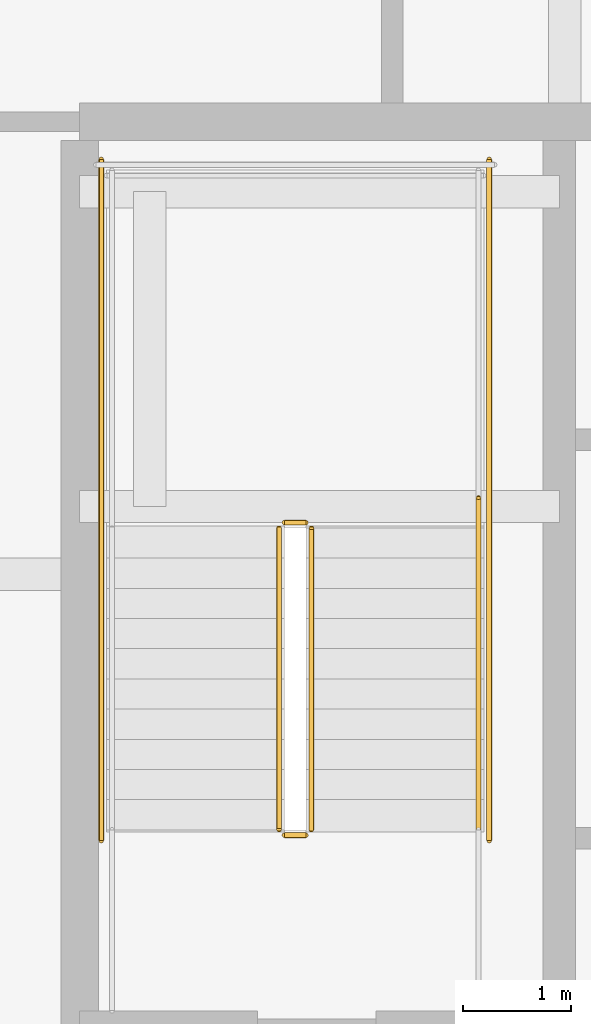
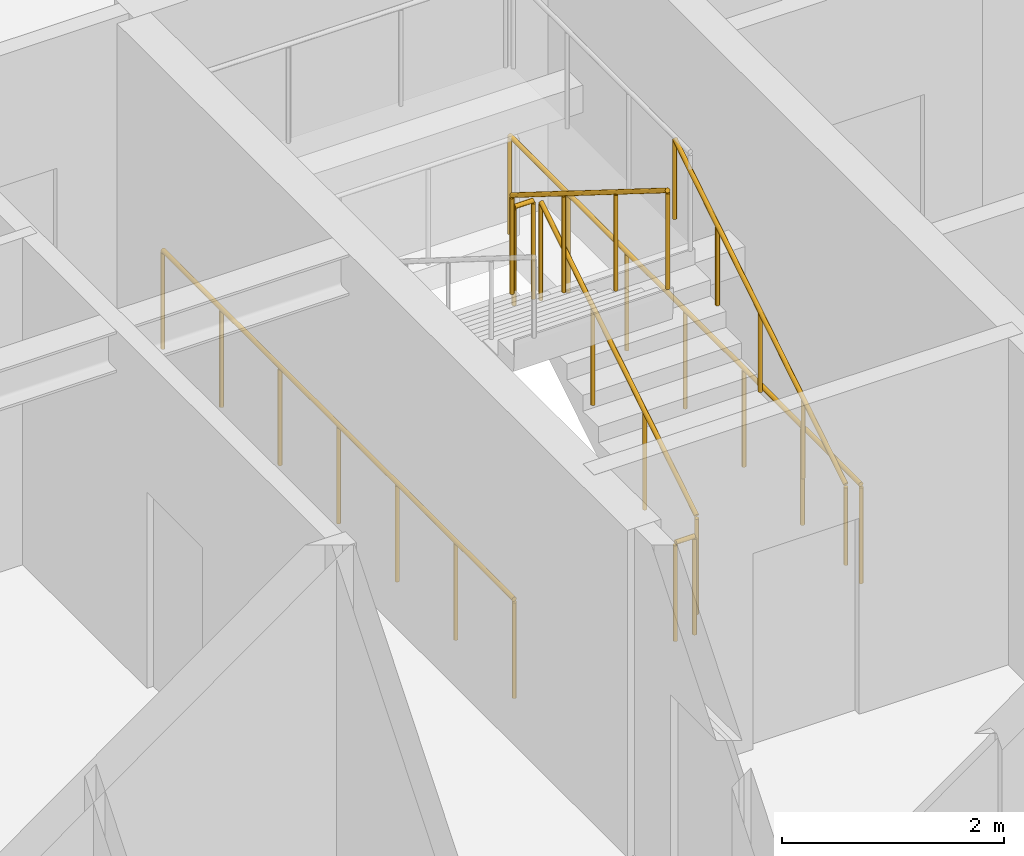
# One storey, part 35 of 38: 7 railings.
"""IFC4 building model written with IfcOpenShell, lengths in metres."""

from ifc_helpers import new_model, si_unit, direction, frame, origin, origin_2d, place, context, subcontext, project, spatial, circle, extrude, material, type_object, element, save


model = new_model("IFC4")

# Units and contexts
model_context = context("Model", 3, precision=1e-05, world=origin(), true_north=direction((0.0, 1.0)))
body_context = subcontext(model_context, "Body", "Model", "MODEL_VIEW")
ifc_project = project(units=[si_unit("LENGTHUNIT", "METRE"), si_unit("AREAUNIT", "SQUARE_METRE"), si_unit("VOLUMEUNIT", "CUBIC_METRE"), si_unit("PLANEANGLEUNIT", "RADIAN"), si_unit("MASSUNIT", "GRAM", prefix="KILO")], contexts=[model_context])

# Site, building, storey
site_placement = place(None, origin())
site = spatial("IfcSite", under=ifc_project, at=site_placement, CompositionType="ELEMENT")
building_placement = place(site_placement, origin())
building = spatial("IfcBuilding", under=site, at=building_placement, Name="Serunith Strait Residences", CompositionType="ELEMENT")
storey_placement = place(building_placement, frame((0.0, 0.0, 229.699951171875)))
storey = spatial("IfcBuildingStorey", under=building, at=storey_placement, Name="L57", CompositionType="ELEMENT", Elevation=229.699951171875)

# Railings
ifc_material = material(Name="Brushed stainless steel 316L", Category="steel")
railing_type_1 = type_object("IfcRailingType", Name="RLG-STAIR-GUARD", PredefinedType="BALUSTRADE", material=ifc_material)
railing_1_placement = place(storey_placement, frame((25.550048828125, 27.030029296875, 0.175048828125)))
element("IfcRailing", 1, at=railing_1_placement, inside=storey, type_object=railing_type_1, Name="L57 ST-1 stair guard 1", PredefinedType="BALUSTRADE", context=body_context, shape_type="SweptSolid", body=[
    extrude(circle(Radius=0.02392578125, at=origin_2d()), frame((0.0, 0.001708984375, 1.0771484375), z_axis=(0.0, 0.848002457836, 0.529992293815), x_axis=(-1.0, 0.0, 0.0)), (0.0, 0.0, 1.0), 3.2978515625),
    extrude(circle(Radius=0.02099609375, at=origin_2d()), origin(), (0.0, 0.0, 1.0), 1.050048828125),
    extrude(circle(Radius=0.02099609375, at=origin_2d()), frame((0.0, 0.933349609375, 0.583251953125)), (0.0, 0.0, 1.0), 1.050048828125),
    extrude(circle(Radius=0.02099609375, at=origin_2d()), frame((0.0, 1.86669921875, 1.166748046875)), (0.0, 0.0, 1.0), 1.050048828125),
    extrude(circle(Radius=0.02099609375, at=origin_2d()), frame((0.0, 2.800048828125, 1.75)), (0.0, 0.0, 1.0), 1.050048828125),
])
railing_2_placement = place(storey_placement, frame((25.5, 29.8798828125, 1.925048828125)))
element("IfcRailing", 2, at=railing_2_placement, inside=storey, type_object=railing_type_1, Name="L57 ST-1 stair guard 2", PredefinedType="BALUSTRADE", context=body_context, shape_type="SweptSolid", body=[
    extrude(circle(Radius=0.02392578125, at=origin_2d()), frame((-0.001953125, 0.0, 1.076171875), z_axis=(-1.0, 0.0, 0.0), x_axis=(0.0, -1.0, 0.0)), (0.0, 0.0, 1.0), 0.196044921875),
    extrude(circle(Radius=0.02099609375, at=origin_2d()), origin(), (0.0, 0.0, 1.0), 1.050048828125),
    extrude(circle(Radius=0.02099609375, at=origin_2d()), frame((-0.199951171875, 0.0, 0.0)), (0.0, 0.0, 1.0), 1.050048828125),
])
railing_3_placement = place(storey_placement, frame((25.25, 29.830078125, 2.10009765625)))
element("IfcRailing", 3, at=railing_3_placement, inside=storey, type_object=railing_type_1, Name="L57 ST-1 stair guard 6", PredefinedType="BALUSTRADE", context=body_context, shape_type="SweptSolid", body=[
    extrude(circle(Radius=0.02392578125, at=origin_2d()), frame((0.0, -0.001708984375, 1.0771484375), z_axis=(0.0, -0.848002457836, 0.529992293815), x_axis=(1.0, 0.0, 0.0)), (0.0, 0.0, 1.0), 3.2978515625),
    extrude(circle(Radius=0.02099609375, at=origin_2d()), origin(), (0.0, 0.0, 1.0), 1.050048828125),
    extrude(circle(Radius=0.02099609375, at=origin_2d()), frame((0.0, -0.933349609375, 0.583251953125)), (0.0, 0.0, 1.0), 1.050048828125),
    extrude(circle(Radius=0.02099609375, at=origin_2d()), frame((0.0, -1.86669921875, 1.166748046875)), (0.0, 0.0, 1.0), 1.050048828125),
    extrude(circle(Radius=0.02099609375, at=origin_2d()), frame((0.0, -2.800048828125, 1.75)), (0.0, 0.0, 1.0), 1.050048828125),
])
railing_4_placement = place(storey_placement, frame((25.5, 26.97998046875, 0.0)))
element("IfcRailing", 4, at=railing_4_placement, inside=storey, type_object=railing_type_1, Name="L57 ST-1 stair guard 7", PredefinedType="BALUSTRADE", context=body_context, shape_type="SweptSolid", body=[
    extrude(circle(Radius=0.02392578125, at=origin_2d()), frame((-0.001953125, 0.0, 1.076171875), z_axis=(-1.0, 0.0, 0.0), x_axis=(0.0, -1.0, 0.0)), (0.0, 0.0, 1.0), 0.196044921875),
    extrude(circle(Radius=0.02099609375, at=origin_2d()), origin(), (0.0, 0.0, 1.0), 1.050048828125),
    extrude(circle(Radius=0.02099609375, at=origin_2d()), frame((-0.199951171875, 0.0, 0.0)), (0.0, 0.0, 1.0), 1.050048828125),
])
for number, where, name in (
    (5, (27.199951171875, 26.929931640625, 0.0), "L57 ST-1 stair guard 10"),
    (6, (23.60009765625, 26.929931640625, 0.0), "L57 ST-1 stair guard 11"),
):
    element("IfcRailing", number, at=place(storey_placement, frame(where)), inside=storey, type_object=railing_type_1, Name=name, PredefinedType="BALUSTRADE", context=body_context, shape_type="SweptSolid", body=[
        extrude(circle(Radius=0.02392578125, at=origin_2d()), frame((0.0, 0.001953125, 1.076171875), z_axis=(0.0, 1.0, 0.0), x_axis=(-1.0, 0.0, 0.0)), (0.0, 0.0, 1.0), 6.316162109375),
        extrude(circle(Radius=0.02099609375, at=origin_2d()), origin(), (0.0, 0.0, 1.0), 1.050048828125),
        extrude(circle(Radius=0.02099609375, at=origin_2d()), frame((0.0, 1.05322265625, 0.0)), (0.0, 0.0, 1.0), 1.050048828125),
        extrude(circle(Radius=0.02099609375, at=origin_2d()), frame((0.0, 2.106689453125, 0.0)), (0.0, 0.0, 1.0), 1.050048828125),
        extrude(circle(Radius=0.02099609375, at=origin_2d()), frame((0.0, 3.16015625, 0.0)), (0.0, 0.0, 1.0), 1.050048828125),
        extrude(circle(Radius=0.02099609375, at=origin_2d()), frame((0.0, 4.21337890625, 0.0)), (0.0, 0.0, 1.0), 1.050048828125),
        extrude(circle(Radius=0.02099609375, at=origin_2d()), frame((0.0, 5.2666015625, 0.0)), (0.0, 0.0, 1.0), 1.050048828125),
        extrude(circle(Radius=0.02099609375, at=origin_2d()), frame((0.0, 6.320068359375, 0.0)), (0.0, 0.0, 1.0), 1.050048828125),
    ])
railing_type_2 = type_object("IfcRailingType", Name="RLG-STAIR-HR", PredefinedType="HANDRAIL", material=ifc_material)
railing_5_placement = place(storey_placement, frame((27.10009765625, 27.030029296875, 0.175048828125)))
element("IfcRailing", 7, at=railing_5_placement, inside=storey, type_object=railing_type_2, Name="L57 ST-1 stair handrail 1", PredefinedType="HANDRAIL", context=body_context, shape_type="SweptSolid", body=[
    extrude(circle(Radius=0.02392578125, at=origin_2d()), frame((0.0, 0.001708984375, 0.876953125), z_axis=(0.0, 0.847393994688, 0.530964610654), x_axis=(-1.0, 0.0, 0.0)), (0.0, 0.0, 1.0), 3.630859375),
    extrude(circle(Radius=0.02099609375, at=origin_2d()), origin(), (0.0, 0.0, 1.0), 0.849853515625),
    extrude(circle(Radius=0.02099609375, at=origin_2d()), frame((0.0, 0.77001953125, 0.482421875)), (0.0, 0.0, 1.0), 0.849853515625),
    extrude(circle(Radius=0.02099609375, at=origin_2d()), frame((0.0, 1.5400390625, 0.96484375)), (0.0, 0.0, 1.0), 0.849853515625),
    extrude(circle(Radius=0.02099609375, at=origin_2d()), frame((0.0, 2.31005859375, 1.447509765625)), (0.0, 0.0, 1.0), 0.849853515625),
    extrude(circle(Radius=0.02099609375, at=origin_2d()), frame((0.0, 3.080078125, 1.929931640625)), (0.0, 0.0, 1.0), 0.849853515625),
])

save(model, "model.ifc")
